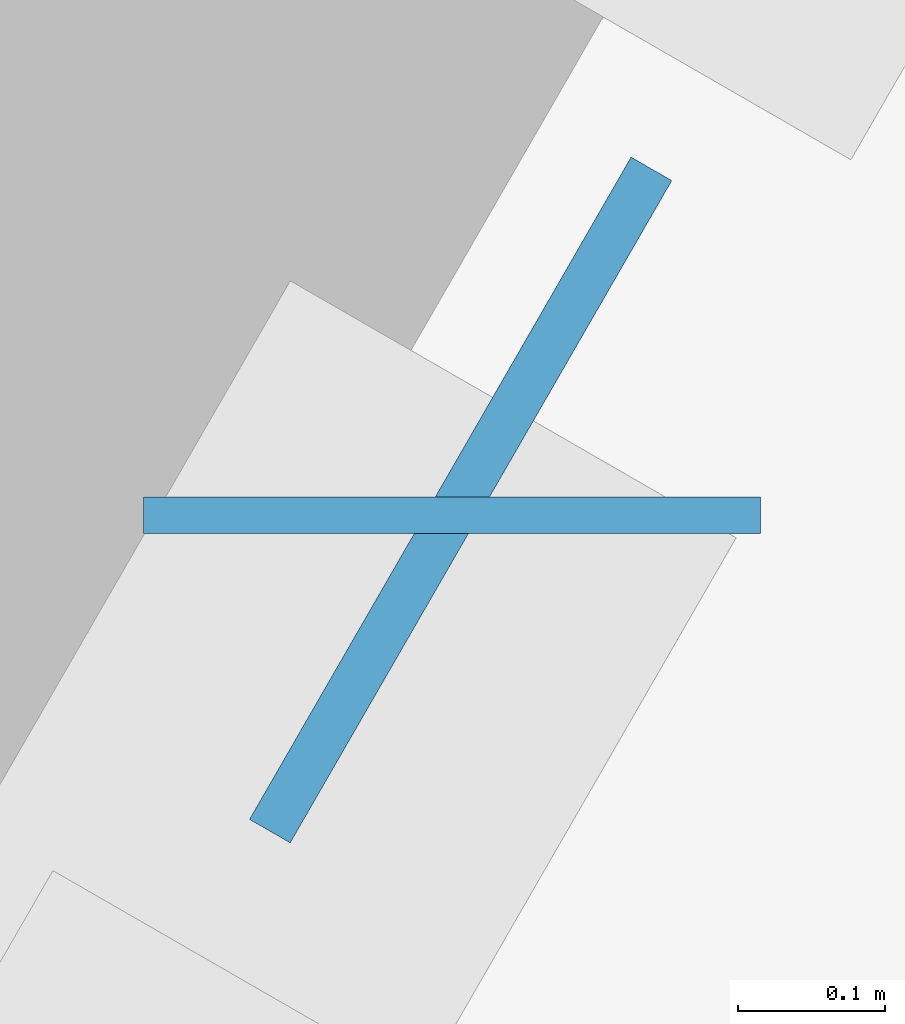
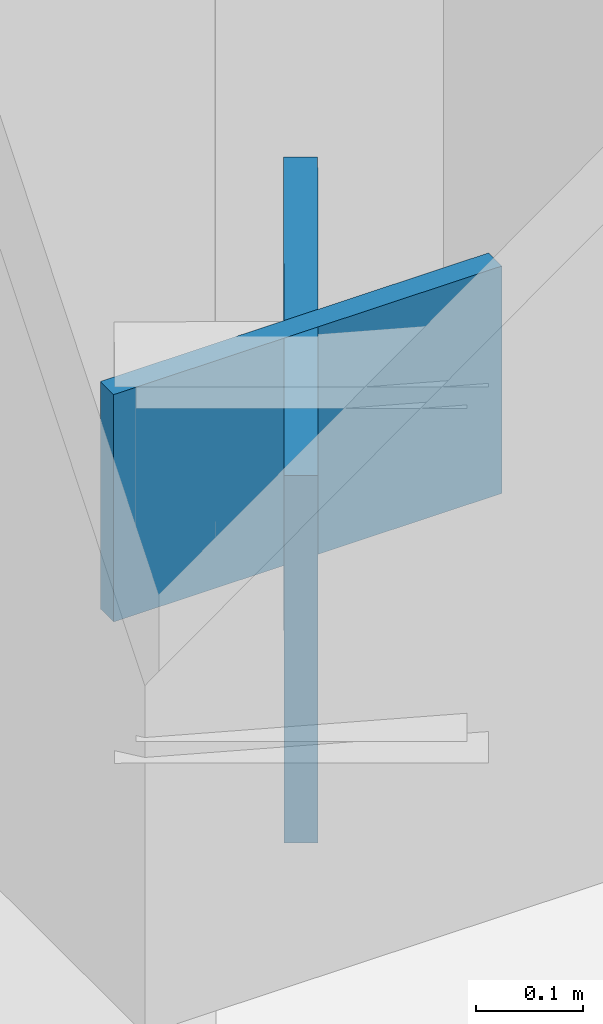
# One storey, part 7 of 16: 2 plates.
"""IFC4 building model written with IfcOpenShell, lengths in metres."""

from ifc_helpers import new_model, si_unit, direction, frame, origin, origin_2d, place, context, subcontext, project, spatial, rectangle, extrude, material, layer, layer_set, type_object, element, save


model = new_model("IFC4")

# Units and contexts
model_context = context("Model", 3, precision=1e-05, world=origin(), true_north=direction((0.0, 1.0)))
body_context = subcontext(model_context, "Body", "Model", "MODEL_VIEW")
ifc_project = project(units=[si_unit("LENGTHUNIT", "METRE"), si_unit("AREAUNIT", "SQUARE_METRE"), si_unit("VOLUMEUNIT", "CUBIC_METRE"), si_unit("PLANEANGLEUNIT", "RADIAN"), si_unit("MASSUNIT", "GRAM", prefix="KILO")], contexts=[model_context])

# Site, building, storey
site_placement = place(None, origin())
site = spatial("IfcSite", under=ifc_project, at=site_placement, CompositionType="ELEMENT")
building_placement = place(site_placement, origin())
building = spatial("IfcBuilding", under=site, at=building_placement, Name="Kavelnor Concourse Tower", CompositionType="ELEMENT")
storey_placement = place(building_placement, frame((0.0, 0.0, 48.35009765625)))
storey = spatial("IfcBuildingStorey", under=building, at=storey_placement, Name="L12", CompositionType="ELEMENT", Elevation=48.35009765625)

# Plates
ifc_material = material(Name="Steel Grade 350", Category="steel")
ifc_layer_1 = layer(ifc_material, 0.031982421875, Name="Steel Grade 350")
ifc_layer_set_1 = layer_set([ifc_layer_1], Name="Steel Grade 350")
plate_type_1 = type_object("IfcPlateType", Name="PL-GUSSET-TUBE-Z1", PredefinedType="USERDEFINED", material=ifc_layer_set_1)
plate_1_placement = place(storey_placement, frame((22.112548828125, 29.23828125, 0.010009765625), z_axis=(0.0, 0.0, 1.0), x_axis=(-0.499244059975, -0.866461406284, 0.0)))
element("IfcPlate", 1, at=plate_1_placement, inside=storey, type_object=plate_type_1, Name="L12 Tube Brace Gusset GP3 F0-B3 End Gusset A", ObjectType="GUSSET_PLATE", PredefinedType="USERDEFINED", context=body_context, shape_type="SweptSolid", body=[
    extrude(rectangle(XDim=0.52001953125, YDim=0.031982421875, at=origin_2d()), origin(), (0.0, 0.0, 1.0), 0.419921875),
])
ifc_layer_2 = layer(ifc_material, 0.02490234375, Name="Steel Grade 350")
ifc_layer_set_2 = layer_set([ifc_layer_2], Name="Steel Grade 350")
plate_type_2 = type_object("IfcPlateType", Name="PL-SPLICE-FLANGE", PredefinedType="SHEET", material=ifc_layer_set_2)
plate_2_placement = place(storey_placement, frame((22.106689453125, 29.227783203125, 0.169921875), z_axis=(0.0, 0.0, 1.0), x_axis=(1.0, 0.0, 0.0)))
element("IfcPlate", 2, at=plate_2_placement, inside=storey, type_object=plate_type_2, Name="L12 Column Flange Splice Plate F0-B3", PredefinedType="SHEET", context=body_context, shape_type="SweptSolid", body=[
    extrude(rectangle(XDim=0.419921875, YDim=0.02490234375, at=origin_2d()), origin(), (0.0, 0.0, 1.0), 0.260009765625),
])

save(model, "model.ifc")
